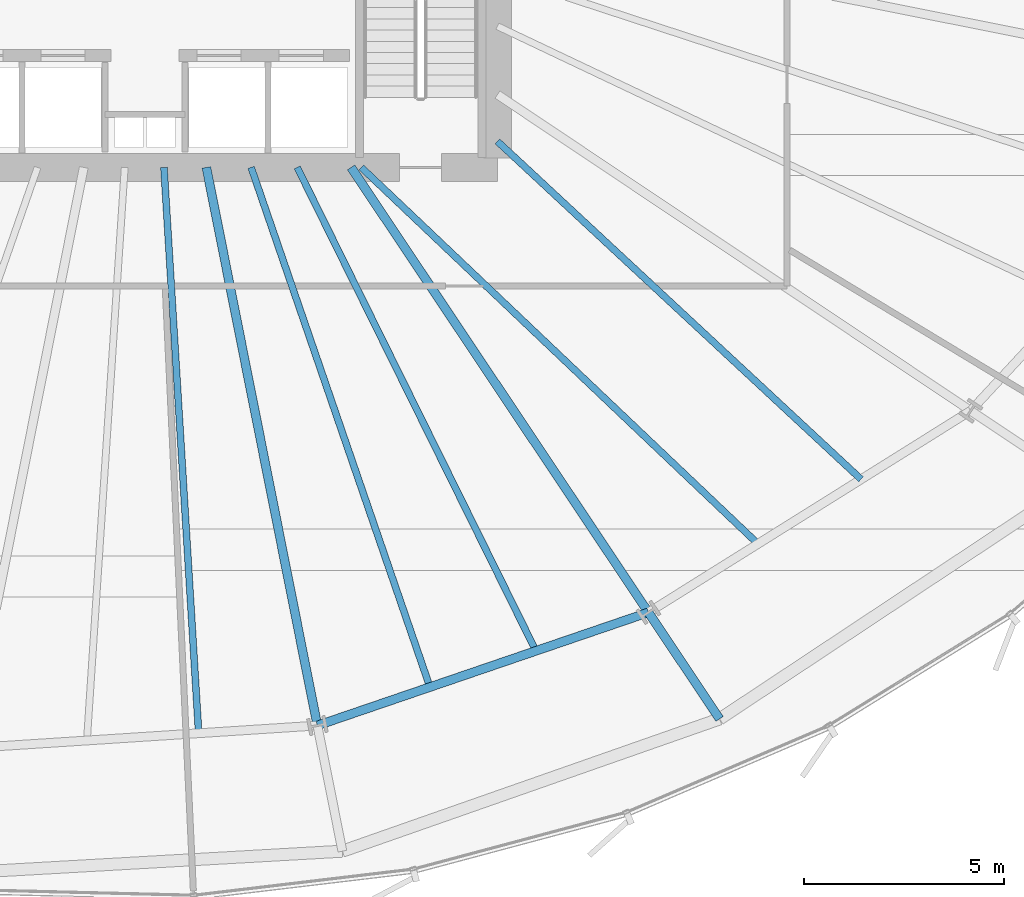
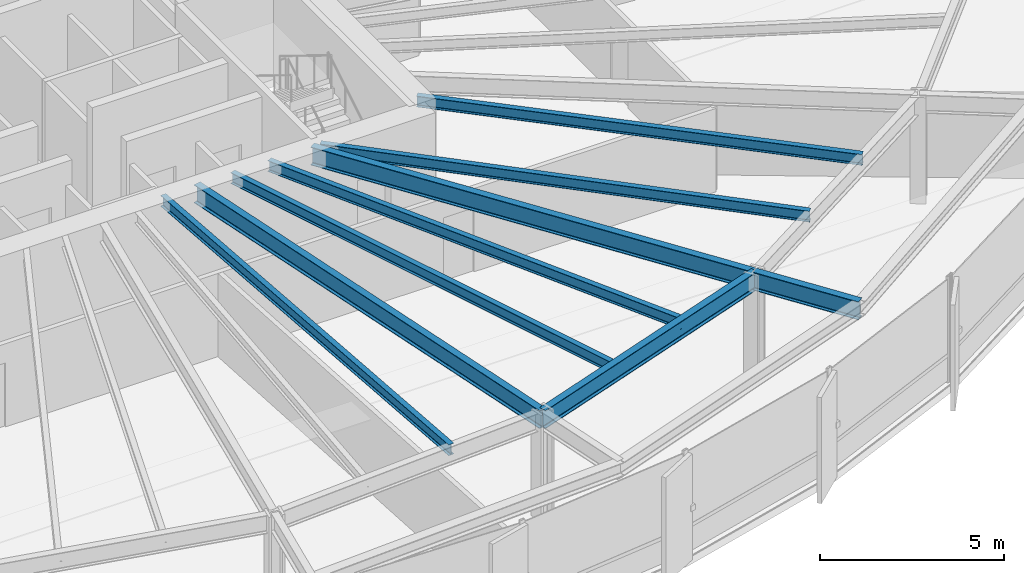
# One storey, part 12 of 39: 9 beams.
"""IFC4 building model written with IfcOpenShell, lengths in metres."""

from ifc_helpers import new_model, si_unit, direction, frame, origin, origin_2d, place, context, subcontext, project, spatial, i_section, extrude, source, transform, mapped, material, material_profile, profile_set, type_object, element, save


model = new_model("IFC4")

# Units and contexts
model_context = context("Model", 3, precision=1e-05, world=origin(), true_north=direction((0.0, 1.0)))
body_context = subcontext(model_context, "Body", "Model", "MODEL_VIEW")
ifc_project = project(units=[si_unit("LENGTHUNIT", "METRE"), si_unit("AREAUNIT", "SQUARE_METRE"), si_unit("VOLUMEUNIT", "CUBIC_METRE"), si_unit("PLANEANGLEUNIT", "RADIAN"), si_unit("MASSUNIT", "GRAM", prefix="KILO"), si_unit("THERMODYNAMICTEMPERATUREUNIT", "KELVIN")], contexts=[model_context])

# Site, building, storey
site_placement = place(None, origin())
site = spatial("IfcSite", under=ifc_project, at=site_placement, CompositionType="ELEMENT")
building_placement = place(site_placement, origin())
building = spatial("IfcBuilding", under=site, at=building_placement, Name="Kethvar Cultural Tower", CompositionType="ELEMENT")
storey_placement = place(building_placement, frame((0.0, 0.0, 41.0)))
storey = spatial("IfcBuildingStorey", under=building, at=storey_placement, Name="L09", CompositionType="ELEMENT", Elevation=41.0)

# Beams
ifc_material = material(Name="Steel S355J2", Category="steel")
ifc_material_profile_1 = material_profile(ifc_material, i_section(OverallWidth=0.219970703125, OverallDepth=0.60009765625, WebThickness=0.011962890625, FlangeThickness=0.01904296875, FilletRadius=0.02392578125, at=origin_2d()), Name="Steel S355J2 — IPE600")
ifc_profile_set_1 = profile_set([ifc_material_profile_1], Name="Steel S355J2 — IPE600")
beam_type_1 = type_object("IfcBeamType", Name="BM-IPE600", PredefinedType="BEAM", material=ifc_profile_set_1)
shared_shape_1 = source(origin(), body_context, "Body", "SweptSolid", [
    extrude(i_section(OverallWidth=0.219970703125, OverallDepth=0.60009765625, WebThickness=0.011962890625, FlangeThickness=0.01904296875, FilletRadius=0.02392578125, at=origin_2d()), origin(), (0.0, 0.0, 1.0), 3.199951171875),
])
beam_1_placement = place(storey_placement, frame((59.370361328125, 8.987060546875, 3.248046875), z_axis=(0.555580212716, -0.831462943996, 0.0), x_axis=(0.831462943996, 0.555580212716, 0.0)))
element("IfcBeam", 1, at=beam_1_placement, inside=storey, type_object=beam_type_1, Name="L09 Perimeter Cantilever Beam RC-14", PredefinedType="BEAM", context=body_context, shape_type="MappedRepresentation", body=[
    mapped(shared_shape_1, transform((0.0, 0.0, 0.0), scale=1.0)),
])
shared_shape_2 = source(origin(), body_context, "Body", "SweptSolid", [
    extrude(i_section(OverallWidth=0.219970703125, OverallDepth=0.60009765625, WebThickness=0.011962890625, FlangeThickness=0.01904296875, FilletRadius=0.02392578125, at=origin_2d()), origin(), (0.0, 0.0, 1.0), 14.210693359375),
])
beam_2_placement = place(storey_placement, frame((48.33154296875, 20.10009765625, 3.248046875), z_axis=(0.195098432651, -0.980783667063, 0.0), x_axis=(0.980783667063, 0.195098432651, 0.0)))
element("IfcBeam", 2, at=beam_2_placement, inside=storey, type_object=beam_type_1, Name="L09 Primary Radial Beam RB-13", PredefinedType="BEAM", context=body_context, shape_type="MappedRepresentation", body=[
    mapped(shared_shape_2, transform((0.0, 0.0, 0.0), scale=1.0)),
])
shared_shape_3 = source(origin(), body_context, "Body", "SweptSolid", [
    extrude(i_section(OverallWidth=0.219970703125, OverallDepth=0.60009765625, WebThickness=0.011962890625, FlangeThickness=0.01904296875, FilletRadius=0.02392578125, at=origin_2d()), origin(), (0.0, 0.0, 1.0), 13.365478515625),
])
beam_3_placement = place(storey_placement, frame((51.945068359375, 20.10009765625, 3.248046875), z_axis=(0.555559834465, -0.831476560301, 0.0), x_axis=(0.831476560301, 0.555559834465, 0.0)))
element("IfcBeam", 3, at=beam_3_placement, inside=storey, type_object=beam_type_1, Name="L09 Primary Radial Beam RB-14", PredefinedType="BEAM", context=body_context, shape_type="MappedRepresentation", body=[
    mapped(shared_shape_3, transform((0.0, 0.0, 0.0), scale=1.0)),
])
ifc_material_profile_2 = material_profile(ifc_material, i_section(OverallWidth=0.169921875, OverallDepth=0.360107421875, WebThickness=0.008056640625, FlangeThickness=0.0126953125, FilletRadius=0.01806640625, at=origin_2d()), Name="Steel S355J2 — IPE360")
ifc_profile_set_2 = profile_set([ifc_material_profile_2], Name="Steel S355J2 — IPE360")
beam_type_2 = type_object("IfcBeamType", Name="BM-J360", PredefinedType="JOIST", material=ifc_profile_set_2)
shared_shape_4 = source(origin(), body_context, "Body", "SweptSolid", [
    extrude(i_section(OverallWidth=0.169921875, OverallDepth=0.360107421875, WebThickness=0.008056640625, FlangeThickness=0.0126953125, FilletRadius=0.01806640625, at=origin_2d()), origin(), (0.0, 0.0, 1.0), 14.156494140625),
])
beam_4_placement = place(storey_placement, frame((47.272216796875, 20.10009765625, 3.367919921875), z_axis=(0.06122296991, -0.998124114505, 0.0), x_axis=(0.998124114505, 0.06122296991, 0.0)))
element("IfcBeam", 4, at=beam_4_placement, inside=storey, type_object=beam_type_2, Name="L09 Composite Floor Joist J-12B", PredefinedType="JOIST", context=body_context, shape_type="MappedRepresentation", body=[
    mapped(shared_shape_4, transform((0.0, 0.0, 0.0), scale=1.0)),
])
shared_shape_5 = source(origin(), body_context, "Body", "SweptSolid", [
    extrude(i_section(OverallWidth=0.219970703125, OverallDepth=0.60009765625, WebThickness=0.011962890625, FlangeThickness=0.01904296875, FilletRadius=0.02392578125, at=origin_2d()), origin(), (0.0, 0.0, 1.0), 8.735595703125),
])
beam_5_placement = place(storey_placement, frame((51.10400390625, 6.16259765625, 3.248046875), z_axis=(0.946286676119, 0.323328821171, 0.0), x_axis=(-0.323328821171, 0.946286676119, 0.0)))
element("IfcBeam", 5, at=beam_5_placement, inside=storey, type_object=beam_type_1, Name="L09 Column Ring Tie Beam CR-13", PredefinedType="BEAM", context=body_context, shape_type="MappedRepresentation", body=[
    mapped(shared_shape_5, transform((0.0, 0.0, 0.0), scale=1.0)),
])
shared_shape_6 = source(origin(), body_context, "Body", "SweptSolid", [
    extrude(i_section(OverallWidth=0.169921875, OverallDepth=0.360107421875, WebThickness=0.008056640625, FlangeThickness=0.0126953125, FilletRadius=0.01806640625, at=origin_2d()), origin(), (0.0, 0.0, 1.0), 13.7236328125),
])
beam_6_placement = place(storey_placement, frame((49.449462890625, 20.10009765625, 3.367919921875), z_axis=(0.325355191569, -0.945591877778, 0.0), x_axis=(0.945591877778, 0.325355191569, 0.0)))
element("IfcBeam", 6, at=beam_6_placement, inside=storey, type_object=beam_type_2, Name="L09 Composite Floor Joist J-13A", PredefinedType="JOIST", context=body_context, shape_type="MappedRepresentation", body=[
    mapped(shared_shape_6, transform((0.0, 0.0, 0.0), scale=1.0)),
])
shared_shape_7 = source(origin(), body_context, "Body", "SweptSolid", [
    extrude(i_section(OverallWidth=0.169921875, OverallDepth=0.360107421875, WebThickness=0.008056640625, FlangeThickness=0.0126953125, FilletRadius=0.01806640625, at=origin_2d()), origin(), (0.0, 0.0, 1.0), 13.4638671875),
])
beam_7_placement = place(storey_placement, frame((50.6005859375, 20.10009765625, 3.367919921875), z_axis=(0.442609148219, -0.89671463795, 0.0), x_axis=(0.89671463795, 0.442609148219, 0.0)))
element("IfcBeam", 7, at=beam_7_placement, inside=storey, type_object=beam_type_2, Name="L09 Composite Floor Joist J-13B", PredefinedType="JOIST", context=body_context, shape_type="MappedRepresentation", body=[
    mapped(shared_shape_7, transform((0.0, 0.0, 0.0), scale=1.0)),
])
shared_shape_8 = source(origin(), body_context, "Body", "SweptSolid", [
    extrude(i_section(OverallWidth=0.169921875, OverallDepth=0.360107421875, WebThickness=0.008056640625, FlangeThickness=0.0126953125, FilletRadius=0.01806640625, at=origin_2d()), origin(), (0.0, 0.0, 1.0), 13.656982421875),
])
beam_8_placement = place(storey_placement, frame((52.199951171875, 20.10009765625, 3.367919921875), z_axis=(0.725392974221, -0.688334971472, 0.0), x_axis=(0.688334971472, 0.725392974221, 0.0)))
element("IfcBeam", 8, at=beam_8_placement, inside=storey, type_object=beam_type_2, Name="L09 Composite Floor Joist J-14A", PredefinedType="JOIST", context=body_context, shape_type="MappedRepresentation", body=[
    mapped(shared_shape_8, transform((0.0, 0.0, 0.0), scale=1.0)),
])
shared_shape_9 = source(origin(), body_context, "Body", "SweptSolid", [
    extrude(i_section(OverallWidth=0.169921875, OverallDepth=0.360107421875, WebThickness=0.008056640625, FlangeThickness=0.0126953125, FilletRadius=0.01806640625, at=origin_2d()), origin(), (0.0, 0.0, 1.0), 12.3974609375),
])
beam_9_placement = place(storey_placement, frame((55.60009765625, 20.75, 3.367919921875), z_axis=(0.732566203092, -0.68069578968, 0.0), x_axis=(0.68069578968, 0.732566203092, 0.0)))
element("IfcBeam", 9, at=beam_9_placement, inside=storey, type_object=beam_type_2, Name="L09 Composite Floor Joist J-14B", PredefinedType="JOIST", context=body_context, shape_type="MappedRepresentation", body=[
    mapped(shared_shape_9, transform((0.0, 0.0, 0.0), scale=1.0)),
])

save(model, "model.ifc")
